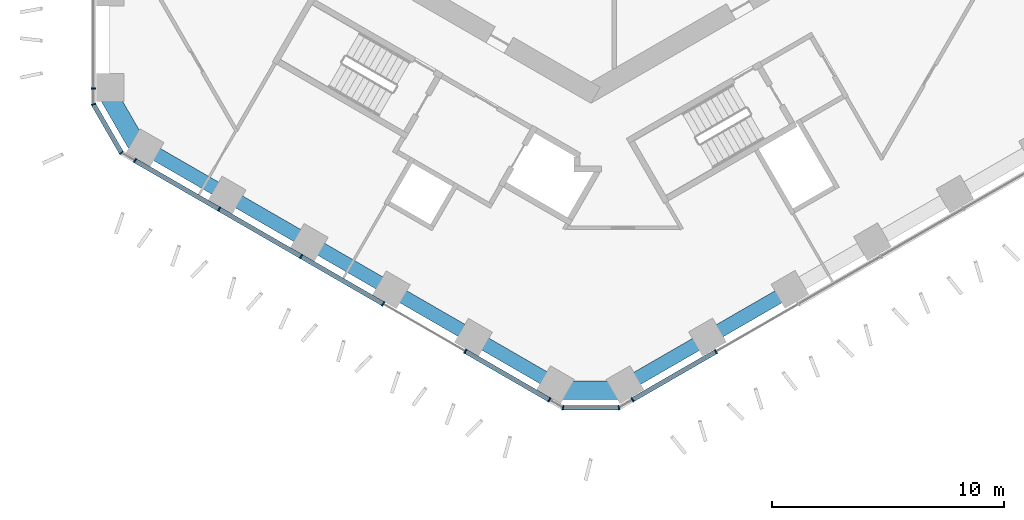
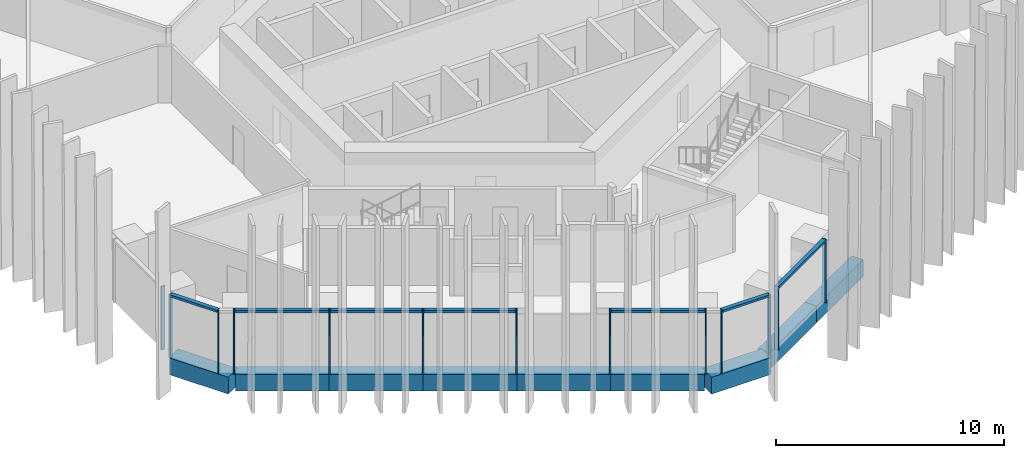
# One storey, part 2 of 18: 18 members, 9 beams, 5 elements without a shape of their own.
"""IFC4 building model written with IfcOpenShell, lengths in metres."""

from ifc_helpers import new_model, si_unit, direction, frame, origin, origin_2d, place, context, subcontext, project, spatial, rectangle, extrude, material, layer, layer_set, material_profile, profile_set, type_object, element, aggregate, save


model = new_model("IFC4")

# Units and contexts
model_context = context("Model", 3, precision=1e-05, world=origin(), true_north=direction((0.0, 1.0)))
body_context = subcontext(model_context, "Body", "Model", "MODEL_VIEW")
ifc_project = project(units=[si_unit("LENGTHUNIT", "METRE"), si_unit("AREAUNIT", "SQUARE_METRE"), si_unit("VOLUMEUNIT", "CUBIC_METRE"), si_unit("PLANEANGLEUNIT", "RADIAN"), si_unit("MASSUNIT", "GRAM", prefix="KILO")], contexts=[model_context])

# Site, building, storey
site_placement = place(None, origin())
site = spatial("IfcSite", under=ifc_project, at=site_placement, CompositionType="ELEMENT")
building_placement = place(site_placement, origin())
building = spatial("IfcBuilding", under=site, at=building_placement, Name="Ayvan Gate Tower", CompositionType="ELEMENT")
storey_placement = place(building_placement, frame((0.0, 0.0, 25.5)))
storey = spatial("IfcBuildingStorey", under=building, at=storey_placement, Name="L05", CompositionType="ELEMENT", Elevation=25.5)

# Beams
ifc_material_1 = material(Name="Concrete C40/50", Category="concrete")
ifc_material_profile_1 = material_profile(ifc_material_1, rectangle(XDim=0.800048828125, YDim=0.89990234375, at=origin_2d()), Name="RC 800x900")
ifc_profile_set_1 = profile_set([ifc_material_profile_1], Name="Concrete C40/50")
beam_type_1 = type_object("IfcBeamType", Name="Corner spandrel beam RC 800x900 C40/50", PredefinedType="BEAM", material=ifc_profile_set_1)
for number, where, z_axis, x_axis, name in (
    (1, (-20.97509765625, -10.3779296875, -0.800048828125), (0.499990139034, -0.866031096941, 0.0), (0.866031096941, 0.499990139034, 0.0), "SB-L05-24"),
    (2, (-1.5, -23.35400390625, -0.800048828125), (1.0, 0.0, 0.0), (0.0, 1.0, 0.0), "SB-L05-30"),
):
    element("IfcBeam", number, at=place(storey_placement, frame(where, z_axis=z_axis, x_axis=x_axis)), inside=storey, type_object=beam_type_1, Name=name, PredefinedType="BEAM", context=body_context, shape_type="SweptSolid", body=[
        extrude(rectangle(XDim=0.800048828125, YDim=0.89990234375, at=origin_2d()), origin(), (0.0, 0.0, 1.0), 3.0),
    ])
ifc_material_profile_2 = material_profile(ifc_material_1, rectangle(XDim=0.60009765625, YDim=0.89990234375, at=origin_2d()), Name="RC 600x900")
ifc_profile_set_2 = profile_set([ifc_material_profile_2], Name="Concrete C40/50")
beam_type_2 = type_object("IfcBeamType", Name="Spandrel beam RC 600x900 C40/50", PredefinedType="BEAM", material=ifc_profile_set_2)
for number, where, z_axis, x_axis, name in (
    (3, (-19.28466796875, -12.865966796875, -0.800048828125), (0.866010373586, -0.500026032164, 0.0), (0.500026032164, 0.866010373586, 0.0), "SB-L05-25"),
    (4, (-15.727783203125, -14.919677734375, -0.800048828125), (0.866050971923, -0.499955712069, 0.0), (0.499955712069, 0.866050971923, 0.0), "SB-L05-26"),
    (5, (-12.170654296875, -16.97314453125, -0.800048828125), (0.866010373586, -0.500026032164, 0.0), (0.500026032164, 0.866010373586, 0.0), "SB-L05-27"),
    (6, (-8.61376953125, -19.02685546875, -0.800048828125), (0.866036113234, -0.499981450231, 0.0), (0.499981450231, 0.866036113234, 0.0), "SB-L05-28"),
    (7, (-5.056884765625, -21.080322265625, -0.800048828125), (0.866010373586, -0.500026032164, 0.0), (0.500026032164, 0.866010373586, 0.0), "SB-L05-29"),
    (8, (1.5, -23.134033203125, -0.800048828125), (0.866010373586, 0.500026032164, 0.0), (-0.500026032164, 0.866010373586, 0.0), "SB-L05-31"),
    (9, (5.056884765625, -21.080322265625, -0.800048828125), (0.866036113234, 0.499981450231, 0.0), (-0.499981450231, 0.866036113234, 0.0), "SB-L05-32"),
):
    element("IfcBeam", number, at=place(storey_placement, frame(where, z_axis=z_axis, x_axis=x_axis)), inside=storey, type_object=beam_type_2, Name=name, PredefinedType="BEAM", context=body_context, shape_type="SweptSolid", body=[
        extrude(rectangle(XDim=0.60009765625, YDim=0.89990234375, at=origin_2d()), origin(), (0.0, 0.0, 1.0), 4.107177734375),
    ])

# Curtain wall, member
ifc_material_2 = material(Name="Bronze anodised aluminium", Category="aluminium")
ifc_layer_1 = layer(ifc_material_2, 0.199951171875)
ifc_layer_set_1 = layer_set([ifc_layer_1], Name="Bronze anodised aluminium")
curtain_wall_type_1 = type_object("IfcCurtainWallType", Name="Stick curtain wall CW-1", PredefinedType="NOTDEFINED", material=ifc_layer_set_1)
curtain_wall_1_placement = place(storey_placement, origin())
curtain_wall_1 = element("IfcCurtainWall", 10, at=curtain_wall_1_placement, inside=storey, type_object=curtain_wall_type_1, Name="Stick curtain wall CW-1 L05", PredefinedType="NOTDEFINED")
ifc_material_profile_3 = material_profile(ifc_material_2, rectangle(XDim=0.199951171875, YDim=0.06005859375, at=origin_2d()), Name="Stick curtain wall CW-1 mullion 200 x 60")
ifc_profile_set_3 = profile_set([ifc_material_profile_3], Name="Bronze anodised aluminium")
member_type_1 = type_object("IfcMemberType", Name="Stick curtain wall CW-1 mullion 200 x 60", PredefinedType="MULLION", material=ifc_profile_set_3)
member_1_placement = place(storey_placement, frame((-21.484619140625, -10.330078125, 0.0), z_axis=(0.0, 0.0, 1.0), x_axis=(-1.0, 0.0, 0.0)))
member_1 = element("IfcMember", 11, at=member_1_placement, type_object=member_type_1, Name="CW-1 mullion 6", PredefinedType="MULLION", context=body_context, shape_type="SweptSolid", body=[
    extrude(rectangle(XDim=0.199951171875, YDim=0.06005859375, at=origin_2d()), origin(), (0.0, 0.0, 1.0), 3.39990234375),
])
aggregate(curtain_wall_1, [member_1])

# Curtain wall, members
curtain_wall_2_placement = place(storey_placement, origin())
curtain_wall_2 = element("IfcCurtainWall", 12, at=curtain_wall_2_placement, inside=storey, type_object=curtain_wall_type_1, Name="Stick curtain wall CW-1 L05", PredefinedType="NOTDEFINED")
member_2_placement = place(storey_placement, frame((-19.6884765625, -13.441162109375, 0.0), z_axis=(0.0, 0.0, 1.0), x_axis=(-0.5, -0.866025403784, 0.0)))
member_2 = element("IfcMember", 13, at=member_2_placement, type_object=member_type_1, Name="CW-1 mullion 1", PredefinedType="MULLION", context=body_context, shape_type="SweptSolid", body=[
    extrude(rectangle(XDim=0.199951171875, YDim=0.06005859375, at=origin_2d()), origin(), (0.0, 0.0, 1.0), 3.39990234375),
])
member_3_placement = place(storey_placement, frame((-16.059814453125, -15.5361328125, 0.0), z_axis=(0.0, 0.0, 1.0), x_axis=(-0.5, -0.866025403784, 0.0)))
member_3 = element("IfcMember", 14, at=member_3_placement, type_object=member_type_1, Name="CW-1 mullion 2", PredefinedType="MULLION", context=body_context, shape_type="SweptSolid", body=[
    extrude(rectangle(XDim=0.199951171875, YDim=0.06005859375, at=origin_2d()), origin(), (0.0, 0.0, 1.0), 3.39990234375),
])
member_4_placement = place(storey_placement, frame((-12.51513671875, -17.582763671875, 0.0), z_axis=(0.0, 0.0, 1.0), x_axis=(-0.5, -0.866025403784, 0.0)))
member_4 = element("IfcMember", 15, at=member_4_placement, type_object=member_type_1, Name="CW-1 mullion 3", PredefinedType="MULLION", context=body_context, shape_type="SweptSolid", body=[
    extrude(rectangle(XDim=0.199951171875, YDim=0.06005859375, at=origin_2d()), origin(), (0.0, 0.0, 1.0), 3.39990234375),
])
member_5_placement = place(storey_placement, frame((-8.9697265625, -19.629638671875, 0.0), z_axis=(0.0, 0.0, 1.0), x_axis=(-0.5, -0.866025403784, 0.0)))
member_5 = element("IfcMember", 16, at=member_5_placement, type_object=member_type_1, Name="CW-1 mullion 4", PredefinedType="MULLION", context=body_context, shape_type="SweptSolid", body=[
    extrude(rectangle(XDim=0.199951171875, YDim=0.06005859375, at=origin_2d()), origin(), (0.0, 0.0, 1.0), 3.39990234375),
])
member_6_placement = place(storey_placement, frame((-5.425048828125, -21.67626953125, 0.0), z_axis=(0.0, 0.0, 1.0), x_axis=(-0.5, -0.866025403784, 0.0)))
member_6 = element("IfcMember", 17, at=member_6_placement, type_object=member_type_1, Name="CW-1 mullion 5", PredefinedType="MULLION", context=body_context, shape_type="SweptSolid", body=[
    extrude(rectangle(XDim=0.199951171875, YDim=0.06005859375, at=origin_2d()), origin(), (0.0, 0.0, 1.0), 3.39990234375),
])
member_7_placement = place(storey_placement, frame((-1.796142578125, -23.771240234375, 0.0), z_axis=(0.0, 0.0, 1.0), x_axis=(-0.5, -0.866025403784, 0.0)))
member_7 = element("IfcMember", 18, at=member_7_placement, type_object=member_type_1, Name="CW-1 mullion 6", PredefinedType="MULLION", context=body_context, shape_type="SweptSolid", body=[
    extrude(rectangle(XDim=0.199951171875, YDim=0.06005859375, at=origin_2d()), origin(), (0.0, 0.0, 1.0), 3.39990234375),
])

curtain_wall_3_placement = place(storey_placement, origin())
curtain_wall_3 = element("IfcCurtainWall", 19, at=curtain_wall_3_placement, inside=storey, type_object=curtain_wall_type_1, Name="Stick curtain wall CW-1 L05", PredefinedType="NOTDEFINED")
member_8_placement = place(storey_placement, frame((1.796142578125, -23.771240234375, 0.0), z_axis=(0.0, 0.0, 1.0), x_axis=(0.5, -0.866025403784, 0.0)))
member_8 = element("IfcMember", 20, at=member_8_placement, type_object=member_type_1, Name="CW-1 mullion 1", PredefinedType="MULLION", context=body_context, shape_type="SweptSolid", body=[
    extrude(rectangle(XDim=0.199951171875, YDim=0.06005859375, at=origin_2d()), origin(), (0.0, 0.0, 1.0), 3.39990234375),
])
member_9_placement = place(storey_placement, frame((5.39794921875, -21.691650390625, 0.0), z_axis=(0.0, 0.0, 1.0), x_axis=(0.5, -0.866025403784, 0.0)))
member_9 = element("IfcMember", 21, at=member_9_placement, type_object=member_type_1, Name="CW-1 mullion 2", PredefinedType="MULLION", context=body_context, shape_type="SweptSolid", body=[
    extrude(rectangle(XDim=0.199951171875, YDim=0.06005859375, at=origin_2d()), origin(), (0.0, 0.0, 1.0), 3.39990234375),
])

# Member
ifc_material_profile_4 = material_profile(ifc_material_2, rectangle(XDim=0.199951171875, YDim=0.1201171875, at=origin_2d()), Name="Stick curtain wall CW-1 transom 200 x 120")
ifc_profile_set_4 = profile_set([ifc_material_profile_4], Name="Bronze anodised aluminium")
member_type_2 = type_object("IfcMemberType", Name="Stick curtain wall CW-1 transom 200 x 120", PredefinedType="USERDEFINED", material=ifc_profile_set_4)
member_10_placement = place(storey_placement, frame((-19.6884765625, -13.441162109375, 3.340087890625), z_axis=(0.866023580839, -0.50000315742, 0.0), x_axis=(0.50000315742, 0.866023580839, 0.0)))
member_10 = element("IfcMember", 22, at=member_10_placement, type_object=member_type_2, Name="CW-1 transom 1", ObjectType="TRANSOM", PredefinedType="USERDEFINED", context=body_context, shape_type="SweptSolid", body=[
    extrude(rectangle(XDim=0.199951171875, YDim=0.1201171875, at=origin_2d()), origin(), (0.0, 0.0, 1.0), 12.34716796875),
])

member_11_placement = place(storey_placement, frame((-5.39892578125, -21.691162109375, 3.340087890625), z_axis=(0.866024334523, -0.500001852011, 0.0), x_axis=(0.500001852011, 0.866024334523, 0.0)))
member_11 = element("IfcMember", 23, at=member_11_placement, type_object=member_type_2, Name="CW-1 transom 2", ObjectType="TRANSOM", PredefinedType="USERDEFINED", context=body_context, shape_type="SweptSolid", body=[
    extrude(rectangle(XDim=0.199951171875, YDim=0.1201171875, at=origin_2d()), origin(), (0.0, 0.0, 1.0), 4.16015625),
])

aggregate(curtain_wall_2, [member_2, member_3, member_4, member_5, member_6, member_7, member_10, member_11])

member_12_placement = place(storey_placement, frame((1.796142578125, -23.771240234375, 3.340087890625), z_axis=(0.866036909293, 0.499980071345, 0.0), x_axis=(-0.499980071345, 0.866036909293, 0.0)))
member_12 = element("IfcMember", 24, at=member_12_placement, type_object=member_type_2, Name="CW-1 transom 1", ObjectType="TRANSOM", PredefinedType="USERDEFINED", context=body_context, shape_type="SweptSolid", body=[
    extrude(rectangle(XDim=0.199951171875, YDim=0.1201171875, at=origin_2d()), origin(), (0.0, 0.0, 1.0), 4.129150390625),
])

aggregate(curtain_wall_3, [member_8, member_9, member_12])

# Curtain wall, members
ifc_layer_2 = layer(ifc_material_2, 0.199951171875)
ifc_layer_set_2 = layer_set([ifc_layer_2], Name="Bronze anodised aluminium")
curtain_wall_type_2 = type_object("IfcCurtainWallType", Name="Stick curtain wall CW-6", PredefinedType="NOTDEFINED", material=ifc_layer_set_2)
curtain_wall_4_placement = place(storey_placement, origin())
curtain_wall_4 = element("IfcCurtainWall", 25, at=curtain_wall_4_placement, inside=storey, type_object=curtain_wall_type_2, Name="Stick curtain wall CW-6 L05", PredefinedType="NOTDEFINED")
ifc_material_profile_5 = material_profile(ifc_material_2, rectangle(XDim=0.199951171875, YDim=0.050048828125, at=origin_2d()), Name="Stick curtain wall CW-6 mullion 200 x 50")
ifc_profile_set_5 = profile_set([ifc_material_profile_5], Name="Bronze anodised aluminium")
member_type_3 = type_object("IfcMemberType", Name="Stick curtain wall CW-6 mullion 200 x 50", PredefinedType="MULLION", material=ifc_profile_set_5)
member_13_placement = place(storey_placement, frame((-21.484619140625, -11.010009765625, 0.0), z_axis=(0.0, 0.0, 1.0), x_axis=(-0.965925826289, -0.258819045103, 0.0)))
member_13 = element("IfcMember", 26, at=member_13_placement, type_object=member_type_3, Name="CW-6 mullion 2", PredefinedType="MULLION", context=body_context, shape_type="SweptSolid", body=[
    extrude(rectangle(XDim=0.199951171875, YDim=0.050048828125, at=origin_2d()), origin(), (0.0, 0.0, 1.0), 3.39990234375),
])
member_14_placement = place(storey_placement, frame((-20.27734375, -13.10107421875, 0.0), z_axis=(0.0, 0.0, 1.0), x_axis=(-0.707106781187, -0.707106781187, 0.0)))
member_14 = element("IfcMember", 27, at=member_14_placement, type_object=member_type_3, Name="CW-6 mullion 3", PredefinedType="MULLION", context=body_context, shape_type="SweptSolid", body=[
    extrude(rectangle(XDim=0.199951171875, YDim=0.050048828125, at=origin_2d()), origin(), (0.0, 0.0, 1.0), 3.39990234375),
])

curtain_wall_5_placement = place(storey_placement, origin())
curtain_wall_5 = element("IfcCurtainWall", 28, at=curtain_wall_5_placement, inside=storey, type_object=curtain_wall_type_2, Name="Stick curtain wall CW-6 L05", PredefinedType="NOTDEFINED")
member_15_placement = place(storey_placement, frame((-1.207275390625, -24.111328125, 0.0), z_axis=(0.0, 0.0, 1.0), x_axis=(-0.258819045103, -0.965925826289, 0.0)))
member_15 = element("IfcMember", 29, at=member_15_placement, type_object=member_type_3, Name="CW-6 mullion 2", PredefinedType="MULLION", context=body_context, shape_type="SweptSolid", body=[
    extrude(rectangle(XDim=0.199951171875, YDim=0.050048828125, at=origin_2d()), origin(), (0.0, 0.0, 1.0), 3.39990234375),
])
member_16_placement = place(storey_placement, frame((1.207275390625, -24.111328125, 0.0), z_axis=(0.0, 0.0, 1.0), x_axis=(0.258819045103, -0.965925826289, 0.0)))
member_16 = element("IfcMember", 30, at=member_16_placement, type_object=member_type_3, Name="CW-6 mullion 3", PredefinedType="MULLION", context=body_context, shape_type="SweptSolid", body=[
    extrude(rectangle(XDim=0.199951171875, YDim=0.050048828125, at=origin_2d()), origin(), (0.0, 0.0, 1.0), 3.39990234375),
])

# Member
ifc_material_profile_6 = material_profile(ifc_material_2, rectangle(XDim=0.199951171875, YDim=0.1201171875, at=origin_2d()), Name="Stick curtain wall CW-6 transom 200 x 120")
ifc_profile_set_6 = profile_set([ifc_material_profile_6], Name="Bronze anodised aluminium")
member_type_4 = type_object("IfcMemberType", Name="Stick curtain wall CW-6 transom 200 x 120", PredefinedType="USERDEFINED", material=ifc_profile_set_6)
member_17_placement = place(storey_placement, frame((-21.47216796875, -11.03173828125, 3.340087890625), z_axis=(0.500014398087, -0.866017090885, 0.0), x_axis=(0.866017090885, 0.500014398087, 0.0)))
member_17 = element("IfcMember", 31, at=member_17_placement, type_object=member_type_4, Name="CW-6 transom 2", ObjectType="TRANSOM", PredefinedType="USERDEFINED", context=body_context, shape_type="SweptSolid", body=[
    extrude(rectangle(XDim=0.199951171875, YDim=0.1201171875, at=origin_2d()), origin(), (0.0, 0.0, 1.0), 2.36474609375),
])

aggregate(curtain_wall_4, [member_13, member_14, member_17])

member_18_placement = place(storey_placement, frame((-1.182373046875, -24.111328125, 3.340087890625), z_axis=(1.0, 0.0, 0.0), x_axis=(0.0, 1.0, 0.0)))
member_18 = element("IfcMember", 32, at=member_18_placement, type_object=member_type_4, Name="CW-6 transom 2", ObjectType="TRANSOM", PredefinedType="USERDEFINED", context=body_context, shape_type="SweptSolid", body=[
    extrude(rectangle(XDim=0.199951171875, YDim=0.1201171875, at=origin_2d()), origin(), (0.0, 0.0, 1.0), 2.36474609375),
])

aggregate(curtain_wall_5, [member_15, member_16, member_18])

save(model, "model.ifc")
